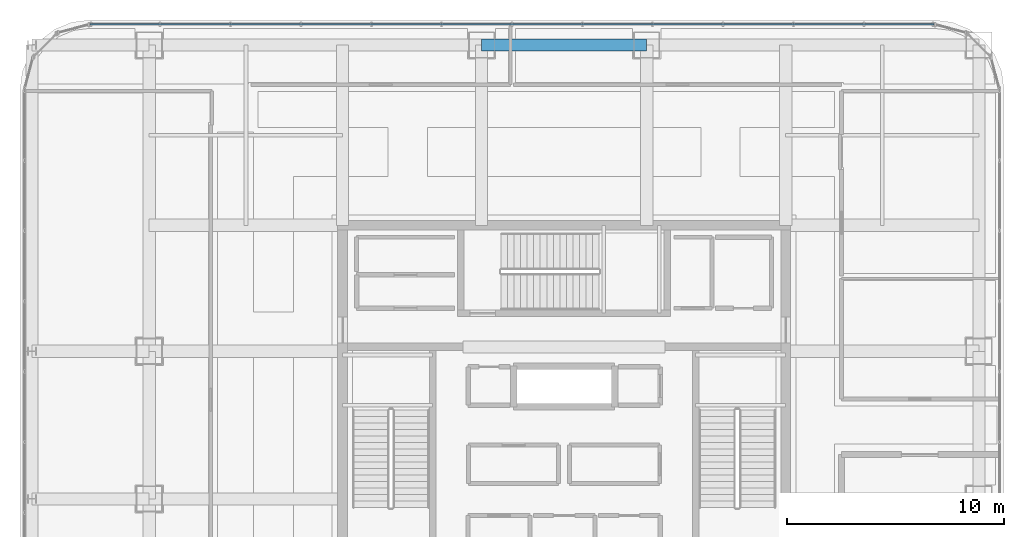
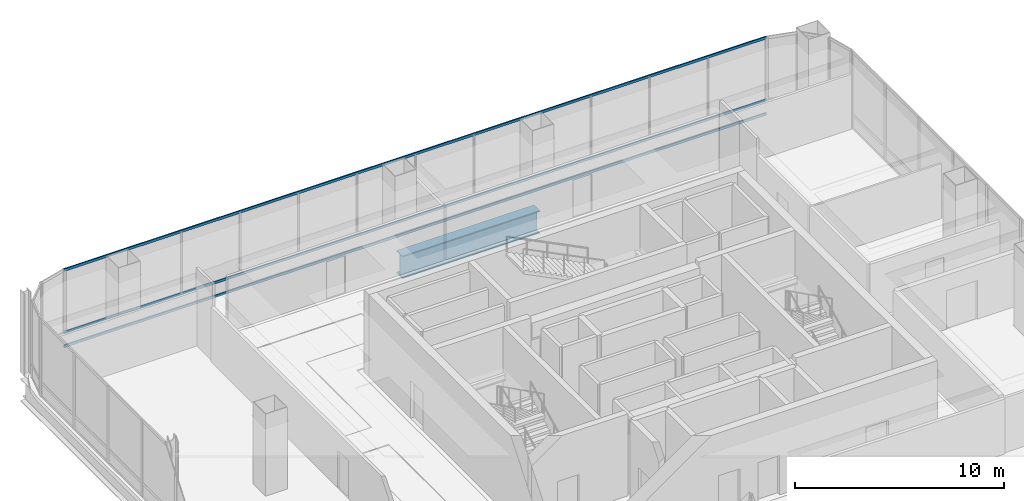
# One storey, part 28 of 44: 3 members, 1 beam, 1 element without a shape of its own.
"""IFC4 building model written with IfcOpenShell, lengths in metres."""

from ifc_helpers import new_model, si_unit, direction, frame, origin, origin_2d, place, context, subcontext, project, spatial, hollow_rectangle, i_section, extrude, material, material_profile, profile_set, type_object, element, aggregate, save


model = new_model("IFC4")

# Units and contexts
model_context = context("Model", 3, precision=1e-05, world=origin(), true_north=direction((0.0, 1.0)))
body_context = subcontext(model_context, "Body", "Model", "MODEL_VIEW")
ifc_project = project(units=[si_unit("LENGTHUNIT", "METRE"), si_unit("AREAUNIT", "SQUARE_METRE"), si_unit("VOLUMEUNIT", "CUBIC_METRE"), si_unit("PLANEANGLEUNIT", "RADIAN"), si_unit("MASSUNIT", "GRAM", prefix="KILO")], contexts=[model_context])

# Site, building, storey
site_placement = place(None, origin())
site = spatial("IfcSite", under=ifc_project, at=site_placement, CompositionType="ELEMENT")
building_placement = place(site_placement, origin())
building = spatial("IfcBuilding", under=site, at=building_placement, Name="Punatoya Terracotta Tower", CompositionType="ELEMENT")
storey_placement = place(building_placement, frame((0.0, 0.0, 334.199951171875)))
storey = spatial("IfcBuildingStorey", under=building, at=storey_placement, Name="L79", CompositionType="ELEMENT", Elevation=334.199951171875)

# Beam
ifc_material_1 = material(Name="Steel S460", Category="steel")
ifc_material_profile_1 = material_profile(ifc_material_1, i_section(OverallWidth=0.56005859375, OverallDepth=1.320068359375, WebThickness=0.035888671875, FlangeThickness=0.054931640625, FilletRadius=0.01806640625, at=origin_2d()))
ifc_profile_set_1 = profile_set([ifc_material_profile_1], Name="Steel S460")
beam_type = type_object("IfcBeamType", Name="BM-TG-BLK", PredefinedType="BEAM", material=ifc_profile_set_1)
beam_placement = place(storey_placement, frame((-3.800048828125, 17.5, -0.919921875), z_axis=(1.0, 0.0, 0.0), x_axis=(0.0, 1.0, 0.0)))
element("IfcBeam", 1, at=beam_placement, inside=storey, type_object=beam_type, Name="BM-L79-RG-N2", PredefinedType="BEAM", context=body_context, shape_type="SweptSolid", body=[
    extrude(i_section(OverallWidth=0.56005859375, OverallDepth=1.320068359375, WebThickness=0.035888671875, FlangeThickness=0.054931640625, FilletRadius=0.01806640625, at=origin_2d()), origin(), (0.0, 0.0, 1.0), 7.60009765625),
])

# Curtain wall, members
ifc_material_2 = material(Name="Aluminium 6063-T6 + Double Low-E Glass", Category="aluminium")
curtain_wall_type = type_object("IfcCurtainWallType", Name="CW-OBS", PredefinedType="NOTDEFINED", material=ifc_material_2)
curtain_wall_placement = place(storey_placement, origin())
curtain_wall = element("IfcCurtainWall", 2, at=curtain_wall_placement, inside=storey, type_object=curtain_wall_type, Name="L79 Curtain Wall CW-L79-N14-1", PredefinedType="NOTDEFINED")
ifc_material_3 = material(Name="Aluminium 6063-T6", Category="aluminium")
ifc_material_profile_2 = material_profile(ifc_material_3, hollow_rectangle(XDim=0.068115234375, YDim=0.14990234375, WallThickness=0.00390625, at=origin_2d()))
ifc_profile_set_2 = profile_set([ifc_material_profile_2], Name="Aluminium 6063-T6")
member_type = type_object("IfcMemberType", Name="CW-TRN-TYP", PredefinedType="USERDEFINED", material=ifc_profile_set_2)
member_1_placement = place(storey_placement, frame((17.036865234375, 18.449951171875, 0.0400390625), z_axis=(-1.0, 0.0, 0.0), x_axis=(0.0, -1.0, 0.0)))
member_1 = element("IfcMember", 3, at=member_1_placement, type_object=member_type, Name="CW-L79-N14-1 Transom 1", ObjectType="TRANSOM", PredefinedType="USERDEFINED", context=body_context, shape_type="SweptSolid", body=[
    extrude(hollow_rectangle(XDim=0.068115234375, YDim=0.14990234375, WallThickness=0.00390625, at=origin_2d()), origin(), (0.0, 0.0, 1.0), 38.873779296875),
])
member_2_placement = place(storey_placement, frame((17.036865234375, 18.449951171875, 0.85009765625), z_axis=(-1.0, 0.0, 0.0), x_axis=(0.0, -1.0, 0.0)))
member_2 = element("IfcMember", 4, at=member_2_placement, type_object=member_type, Name="CW-L79-N14-1 Transom 2", ObjectType="TRANSOM", PredefinedType="USERDEFINED", context=body_context, shape_type="SweptSolid", body=[
    extrude(hollow_rectangle(XDim=0.068115234375, YDim=0.14990234375, WallThickness=0.00390625, at=origin_2d()), origin(), (0.0, 0.0, 1.0), 38.873779296875),
])
member_3_placement = place(storey_placement, frame((17.036865234375, 18.449951171875, 4.5), z_axis=(-1.0, 0.0, 0.0), x_axis=(0.0, -1.0, 0.0)))
member_3 = element("IfcMember", 5, at=member_3_placement, type_object=member_type, Name="CW-L79-N14-1 Transom 3", ObjectType="TRANSOM", PredefinedType="USERDEFINED", context=body_context, shape_type="SweptSolid", body=[
    extrude(hollow_rectangle(XDim=0.068115234375, YDim=0.14990234375, WallThickness=0.00390625, at=origin_2d()), origin(), (0.0, 0.0, 1.0), 38.873779296875),
])
aggregate(curtain_wall, [member_1, member_2, member_3])

save(model, "model.ifc")
